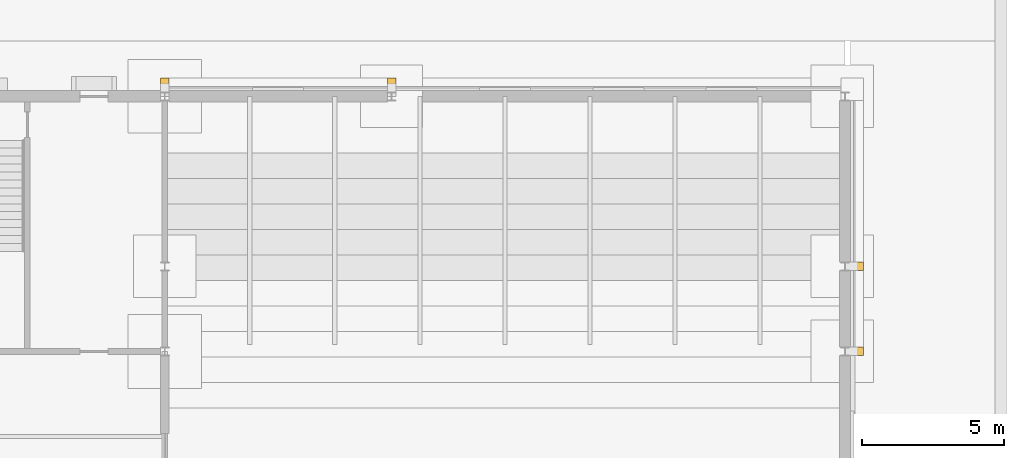
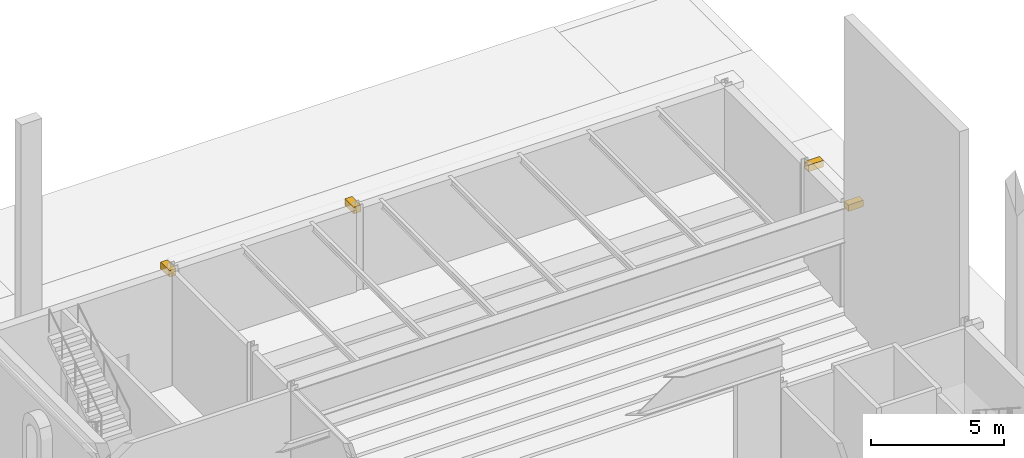
# One storey, part 125 of 126: 4 coverings.
"""IFC4 building model written with IfcOpenShell, lengths in metres."""

from ifc_helpers import new_model, si_unit, direction, frame, origin, origin_2d, place, context, subcontext, project, spatial, rectangle, extrude, material, layer, layer_set, type_object, element, save


model = new_model("IFC4")

# Units and contexts
model_context = context("Model", 3, precision=1e-05, world=origin(), true_north=direction((0.0, 1.0)))
body_context = subcontext(model_context, "Body", "Model", "MODEL_VIEW")
ifc_project = project(units=[si_unit("LENGTHUNIT", "METRE"), si_unit("AREAUNIT", "SQUARE_METRE"), si_unit("VOLUMEUNIT", "CUBIC_METRE"), si_unit("PLANEANGLEUNIT", "RADIAN"), si_unit("MASSUNIT", "GRAM", prefix="KILO")], contexts=[model_context])

# Site, building, storey
site_placement = place(None, origin())
site = spatial("IfcSite", under=ifc_project, at=site_placement, CompositionType="ELEMENT")
building_placement = place(site_placement, origin())
building = spatial("IfcBuilding", under=site, at=building_placement, Name="Kallimachos Central Library", CompositionType="ELEMENT")
storey_placement = place(building_placement, origin())
storey = spatial("IfcBuildingStorey", under=building, at=storey_placement, Name="L00", CompositionType="ELEMENT", Elevation=0.0)

# Coverings
ifc_material = material(Name="Pentelic marble cornice", Category="masonry")
ifc_layer = layer(ifc_material, 0.449951171875)
ifc_layer_set = layer_set([ifc_layer], Name="Stone cornice 450")
covering_type = type_object("IfcCoveringType", Name="Stone cornice 450", PredefinedType="MOLDING", material=ifc_layer_set)
for number, where, z_axis, x_axis, name in (
    (1, (170.324951171875, 105.0, 4.9501953125), (0.0, 0.0, 1.0), (1.0, 0.0, 0.0), "Stone cornice 450 -L00-004"),
    (2, (170.324951171875, 108.0, 4.9501953125), (0.0, 0.0, 1.0), (1.0, 0.0, 0.0), "Stone cornice 450 -L00-005"),
):
    element("IfcCovering", number, at=place(storey_placement, frame(where, z_axis=z_axis, x_axis=x_axis)), inside=storey, type_object=covering_type, Name=name, PredefinedType="MOLDING", context=body_context, shape_type="SweptSolid", body=[
        extrude(rectangle(XDim=0.64990234375, YDim=0.300048828125, at=origin_2d()), origin(), (0.0, 0.0, 1.0), 0.300048828125),
    ])
for number, where, z_axis, x_axis, name in (
    (3, (146.0, 114.324951171875, 4.85009765625), (0.0, 0.0, 1.0), (1.0, 0.0, 0.0), "Stone cornice 450 -L00-011"),
    (4, (154.0, 114.324951171875, 4.9501953125), (0.0, 0.0, 1.0), (1.0, 0.0, 0.0), "Stone cornice 450 -L00-012"),
):
    element("IfcCovering", number, at=place(storey_placement, frame(where, z_axis=z_axis, x_axis=x_axis)), inside=storey, type_object=covering_type, Name=name, PredefinedType="MOLDING", context=body_context, shape_type="SweptSolid", body=[
        extrude(rectangle(XDim=0.300048828125, YDim=0.64990234375, at=origin_2d()), origin(), (0.0, 0.0, 1.0), 0.300048828125),
    ])

save(model, "model.ifc")
